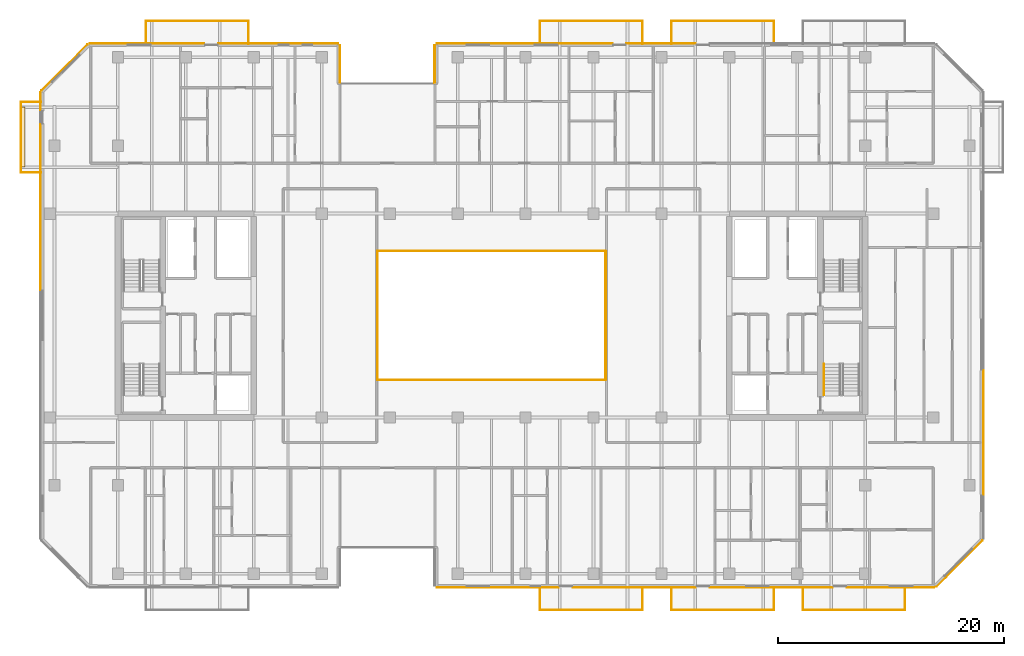
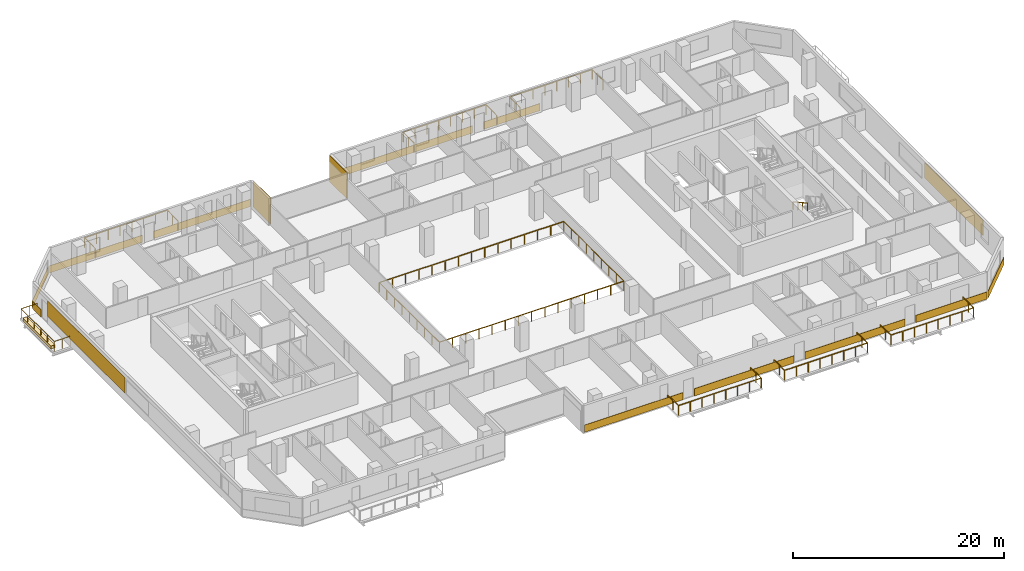
# One storey, part 21 of 23: 16 coverings, 10 railings.
"""IFC4 building model written with IfcOpenShell, lengths in metres."""

from ifc_helpers import new_model, si_unit, direction, frame, origin, origin_2d, place, context, subcontext, project, spatial, polyline, rectangle, outline, extrude, material, layer, layer_set, type_object, element, save


model = new_model("IFC4")

# Units and contexts
model_context = context("Model", 3, precision=1e-05, world=origin(), true_north=direction((0.0, 1.0)))
body_context = subcontext(model_context, "Body", "Model", "MODEL_VIEW")
ifc_project = project(units=[si_unit("LENGTHUNIT", "METRE"), si_unit("AREAUNIT", "SQUARE_METRE"), si_unit("VOLUMEUNIT", "CUBIC_METRE"), si_unit("PLANEANGLEUNIT", "RADIAN"), si_unit("MASSUNIT", "GRAM", prefix="KILO")], contexts=[model_context])

# Site, building, storey
site_placement = place(None, origin())
site = spatial("IfcSite", under=ifc_project, at=site_placement, CompositionType="ELEMENT")
building_placement = place(site_placement, origin())
building = spatial("IfcBuilding", under=site, at=building_placement, Name="Tanjung Sevakor Pilgrim Tower", CompositionType="ELEMENT")
storey_placement = place(building_placement, frame((0.0, 0.0, 85.469970703125)))
storey = spatial("IfcBuildingStorey", under=building, at=storey_placement, Name="L23", CompositionType="ELEMENT", Elevation=85.469970703125)

# Coverings
ifc_material_1 = material(Name="Reconstructed Limestone Cladding", Category="masonry")
ifc_layer_1 = layer(ifc_material_1, 0.044921875)
ifc_layer_set_1 = layer_set([ifc_layer_1], Name="COV-CLAD-LIMESTONE")
covering_type_1 = type_object("IfcCoveringType", Name="COV-CLAD-LIMESTONE", PredefinedType="CLADDING", material=ifc_layer_set_1)
covering_1_placement = place(storey_placement, frame((57.552490234375, 9.577392578125, 0.009765625), z_axis=(0.0, 0.0, 1.0), x_axis=(1.0, 0.0, 0.0)))
element("IfcCovering", 1, at=covering_1_placement, inside=storey, type_object=covering_type_1, Name="L23 Warm Limestone Sill Spandrel EW-L23-MAIN-5-1", PredefinedType="CLADDING", context=body_context, shape_type="SweptSolid", body=[
    extrude(rectangle(XDim=10.77490234375, YDim=0.044921875, at=origin_2d()), origin(), (0.0, 0.0, 1.0), 0.840087890625),
])
for number, where, z_axis, x_axis, name in (
    (2, (69.60009765625, 9.577392578125, 0.009765625), (0.0, 0.0, 1.0), (1.0, 0.0, 0.0), "L23 Warm Limestone Sill Spandrel EW-L23-MAIN-5-2"),
    (3, (81.699951171875, 9.577392578125, 0.009765625), (0.0, 0.0, 1.0), (1.0, 0.0, 0.0), "L23 Warm Limestone Sill Spandrel EW-L23-MAIN-5-3"),
):
    element("IfcCovering", number, at=place(storey_placement, frame(where, z_axis=z_axis, x_axis=x_axis)), inside=storey, type_object=covering_type_1, Name=name, PredefinedType="CLADDING", context=body_context, shape_type="SweptSolid", body=[
        extrude(rectangle(XDim=10.8798828125, YDim=0.044921875, at=origin_2d()), origin(), (0.0, 0.0, 1.0), 0.840087890625),
    ])
covering_2_placement = place(storey_placement, frame((92.234130859375, 9.577392578125, 0.009765625), z_axis=(0.0, 0.0, 1.0), x_axis=(1.0, 0.0, 0.0)))
element("IfcCovering", 4, at=covering_2_placement, inside=storey, type_object=covering_type_1, Name="L23 Warm Limestone Sill Spandrel EW-L23-MAIN-5-4", PredefinedType="CLADDING", context=body_context, shape_type="SweptSolid", body=[
    extrude(rectangle(XDim=7.748291015625, YDim=0.044921875, at=origin_2d()), origin(), (0.0, 0.0, 1.0), 0.840087890625),
])
covering_3_placement = place(storey_placement, frame((98.31591796875, 11.68408203125, 0.009765625), z_axis=(0.0, 0.0, 1.0), x_axis=(0.707106781187, 0.707106781187, 0.0)))
element("IfcCovering", 5, at=covering_3_placement, inside=storey, type_object=covering_type_1, Name="L23 Warm Limestone Sill Spandrel EW-CHM-L23-MAIN-5-1", PredefinedType="CLADDING", context=body_context, shape_type="SweptSolid", body=[
    extrude(rectangle(XDim=5.756103515625, YDim=0.044921875, at=origin_2d()), origin(), (0.0, 0.0, 1.0), 0.840087890625),
])
covering_4_placement = place(storey_placement, frame((100.422607421875, 23.258056640625, 0.85009765625), z_axis=(0.0, 0.0, 1.0), x_axis=(0.0, 1.0, 0.0)))
element("IfcCovering", 6, at=covering_4_placement, inside=storey, type_object=covering_type_1, Name="L23 Warm Limestone Pier Panel EW-L23-MAIN-7-1", PredefinedType="CLADDING", context=body_context, shape_type="SweptSolid", body=[
    extrude(rectangle(XDim=11.004150390625, YDim=0.044921875, at=origin_2d()), origin(), (0.0, 0.0, 1.0), 1.81005859375),
])
covering_5_placement = place(storey_placement, frame((71.97509765625, 57.62255859375, 0.009765625), z_axis=(0.0, 0.0, 1.0), x_axis=(-1.0, 0.0, 0.0)))
element("IfcCovering", 7, at=covering_5_placement, inside=storey, type_object=covering_type_1, Name="L23 Warm Limestone Sill Spandrel EW-L23-MAIN-9-3", PredefinedType="CLADDING", context=body_context, shape_type="SweptSolid", body=[
    extrude(rectangle(XDim=6.1298828125, YDim=0.044921875, at=origin_2d()), origin(), (0.0, 0.0, 1.0), 0.840087890625),
])
covering_6_placement = place(storey_placement, frame((59.927490234375, 57.62255859375, 0.009765625), z_axis=(0.0, 0.0, 1.0), x_axis=(-1.0, 0.0, 0.0)))
element("IfcCovering", 8, at=covering_6_placement, inside=storey, type_object=covering_type_1, Name="L23 Warm Limestone Sill Spandrel EW-L23-MAIN-9-4", PredefinedType="CLADDING", context=body_context, shape_type="SweptSolid", body=[
    extrude(rectangle(XDim=15.52490234375, YDim=0.044921875, at=origin_2d()), origin(), (0.0, 0.0, 1.0), 0.840087890625),
])
for number, where, z_axis, x_axis, name in (
    (9, (51.9775390625, 55.77490234375, 0.02001953125), (0.0, 0.0, 1.0), (0.0, -1.0, 0.0), "L23 Warm Limestone Wall Cladding EW-L23-MAIN-10"),
    (10, (43.62255859375, 55.77490234375, 0.02001953125), (0.0, 0.0, 1.0), (0.0, 1.0, 0.0), "L23 Warm Limestone Wall Cladding EW-L23-MAIN-12"),
):
    element("IfcCovering", number, at=place(storey_placement, frame(where, z_axis=z_axis, x_axis=x_axis)), inside=storey, type_object=covering_type_1, Name=name, PredefinedType="CLADDING", context=body_context, shape_type="SweptSolid", body=[
        extrude(rectangle(XDim=3.360107421875, YDim=0.044921875, at=origin_2d()), origin(), (0.0, 0.0, 1.0), 3.0400390625),
    ])
covering_7_placement = place(storey_placement, frame((38.1474609375, 57.62255859375, 0.009765625), z_axis=(0.0, 0.0, 1.0), x_axis=(-1.0, 0.0, 0.0)))
element("IfcCovering", 11, at=covering_7_placement, inside=storey, type_object=covering_type_1, Name="L23 Warm Limestone Sill Spandrel EW-L23-MAIN-13-1", PredefinedType="CLADDING", context=body_context, shape_type="SweptSolid", body=[
    extrude(rectangle(XDim=10.574951171875, YDim=0.044921875, at=origin_2d()), origin(), (0.0, 0.0, 1.0), 0.840087890625),
])
covering_8_placement = place(storey_placement, frame((26.56591796875, 57.62255859375, 0.009765625), z_axis=(0.0, 0.0, 1.0), x_axis=(-1.0, 0.0, 0.0)))
element("IfcCovering", 12, at=covering_8_placement, inside=storey, type_object=covering_type_1, Name="L23 Warm Limestone Sill Spandrel EW-L23-MAIN-13-2", PredefinedType="CLADDING", context=body_context, shape_type="SweptSolid", body=[
    extrude(rectangle(XDim=10.148193359375, YDim=0.044921875, at=origin_2d()), origin(), (0.0, 0.0, 1.0), 0.840087890625),
])
covering_9_placement = place(storey_placement, frame((19.2841796875, 55.515869140625, 0.009765625), z_axis=(0.0, 0.0, 1.0), x_axis=(-0.707106781187, -0.707106781187, 0.0)))
element("IfcCovering", 13, at=covering_9_placement, inside=storey, type_object=covering_type_1, Name="L23 Warm Limestone Sill Spandrel EW-CHM-L23-MAIN-13-1", PredefinedType="CLADDING", context=body_context, shape_type="SweptSolid", body=[
    extrude(rectangle(XDim=5.756103515625, YDim=0.044921875, at=origin_2d()), origin(), (0.0, 0.0, 1.0), 0.840087890625),
])
covering_10_placement = place(storey_placement, frame((17.177490234375, 52.509033203125, 0.009765625), z_axis=(0.0, 0.0, 1.0), x_axis=(0.0, -1.0, 0.0)))
element("IfcCovering", 14, at=covering_10_placement, inside=storey, type_object=covering_type_1, Name="L23 Warm Limestone Sill Spandrel EW-L23-MAIN-15-1", PredefinedType="CLADDING", context=body_context, shape_type="SweptSolid", body=[
    extrude(rectangle(XDim=1.59814453125, YDim=0.044921875, at=origin_2d()), origin(), (0.0, 0.0, 1.0), 0.840087890625),
])
covering_11_placement = place(storey_placement, frame((17.177490234375, 43.175048828125, 0.85009765625), z_axis=(0.0, 0.0, 1.0), x_axis=(0.0, -1.0, 0.0)))
element("IfcCovering", 15, at=covering_11_placement, inside=storey, type_object=covering_type_1, Name="L23 Warm Limestone Pier Panel EW-L23-MAIN-15-1", PredefinedType="CLADDING", context=body_context, shape_type="SweptSolid", body=[
    extrude(rectangle(XDim=14.64990234375, YDim=0.044921875, at=origin_2d()), origin(), (0.0, 0.0, 1.0), 1.81005859375),
])
ifc_material_2 = material(Name="Vegetated Modular Planter Assembly", Category="organic")
ifc_layer_2 = layer(ifc_material_2, 0.35009765625)
ifc_layer_set_2 = layer_set([ifc_layer_2], Name="COV-GRN-TROUGH")
covering_type_2 = type_object("IfcCoveringType", Name="COV-GRN-TROUGH", PredefinedType="CLADDING", material=ifc_layer_set_2)
covering_12_placement = place(storey_placement, origin())
element("IfcCovering", 16, at=covering_12_placement, inside=storey, type_object=covering_type_2, Name="L23 Planted Landscape Hedge Trough BGRN-L23-MAIN-W1", PredefinedType="CLADDING", context=body_context, shape_type="SweptSolid", body=[
    extrude(outline(polyline([(15.7900390625, 46.699951171875), (15.7900390625, 52.0), (15.35009765625, 52.0), (15.35009765625, 46.699951171875), (15.7900390625, 46.699951171875)])), origin(), (0.0, 0.0, 1.0), 0.35009765625),
])

# Railings
ifc_material_3 = material(Name="Laminated Glass and Aluminium", Category="aluminium")
railing_type_1 = type_object("IfcRailingType", Name="RL-BAL-BALUST", PredefinedType="BALUSTRADE", material=ifc_material_3)
railing_1_placement = place(storey_placement, frame((46.919921875, 27.919921875, 0.0)))
element("IfcRailing", 17, at=railing_1_placement, inside=storey, type_object=railing_type_1, Name="L23 Void Opening Balustrade 1A", PredefinedType="BALUSTRADE", context=body_context, shape_type="SweptSolid", body=[
    extrude(rectangle(XDim=0.0479, YDim=0.0479), frame((0.0, 0.0, 1.1259765625), z_axis=(1.0, 0.0, 0.0), x_axis=(0.0, 1.0, 0.0)), (0.0, 0.0, 1.0), 20.16015625),
    extrude(rectangle(XDim=0.0479, YDim=0.0479), frame((20.16015625, 0.0, 1.1259765625), z_axis=(0.0, 1.0, 0.0), x_axis=(-1.0, 0.0, 0.0)), (0.0, 0.0, 1.0), 11.360107421875),
    extrude(rectangle(XDim=0.042, YDim=0.042), origin(), (0.0, 0.0, 1.0), 1.101806640625),
    extrude(rectangle(XDim=0.042, YDim=0.042), frame((1.43994140625, 0.0, 0.0)), (0.0, 0.0, 1.0), 1.101806640625),
    extrude(rectangle(XDim=0.042, YDim=0.042), frame((2.880126953125, 0.0, 0.0)), (0.0, 0.0, 1.0), 1.101806640625),
    extrude(rectangle(XDim=0.042, YDim=0.042), frame((4.320068359375, 0.0, 0.0)), (0.0, 0.0, 1.0), 1.101806640625),
    extrude(rectangle(XDim=0.042, YDim=0.042), frame((5.760009765625, 0.0, 0.0)), (0.0, 0.0, 1.0), 1.101806640625),
    extrude(rectangle(XDim=0.042, YDim=0.042), frame((7.199951171875, 0.0, 0.0)), (0.0, 0.0, 1.0), 1.101806640625),
    extrude(rectangle(XDim=0.042, YDim=0.042), frame((8.64013671875, 0.0, 0.0)), (0.0, 0.0, 1.0), 1.101806640625),
    extrude(rectangle(XDim=0.042, YDim=0.042), frame((10.080078125, 0.0, 0.0)), (0.0, 0.0, 1.0), 1.101806640625),
    extrude(rectangle(XDim=0.042, YDim=0.042), frame((11.52001953125, 0.0, 0.0)), (0.0, 0.0, 1.0), 1.101806640625),
    extrude(rectangle(XDim=0.042, YDim=0.042), frame((12.960205078125, 0.0, 0.0)), (0.0, 0.0, 1.0), 1.101806640625),
    extrude(rectangle(XDim=0.042, YDim=0.042), frame((14.400146484375, 0.0, 0.0)), (0.0, 0.0, 1.0), 1.101806640625),
    extrude(rectangle(XDim=0.042, YDim=0.042), frame((15.840087890625, 0.0, 0.0)), (0.0, 0.0, 1.0), 1.101806640625),
    extrude(rectangle(XDim=0.042, YDim=0.042), frame((17.280029296875, 0.0, 0.0)), (0.0, 0.0, 1.0), 1.101806640625),
    extrude(rectangle(XDim=0.042, YDim=0.042), frame((18.72021484375, 0.0, 0.0)), (0.0, 0.0, 1.0), 1.101806640625),
    extrude(rectangle(XDim=0.042, YDim=0.042), frame((20.16015625, 0.0, 0.0)), (0.0, 0.0, 1.0), 1.101806640625),
    extrude(rectangle(XDim=0.042, YDim=0.042), frame((20.16015625, 1.419921875, 0.0)), (0.0, 0.0, 1.0), 1.101806640625),
    extrude(rectangle(XDim=0.042, YDim=0.042), frame((20.16015625, 2.840087890625, 0.0)), (0.0, 0.0, 1.0), 1.101806640625),
    extrude(rectangle(XDim=0.042, YDim=0.042), frame((20.16015625, 4.260009765625, 0.0)), (0.0, 0.0, 1.0), 1.101806640625),
    extrude(rectangle(XDim=0.042, YDim=0.042), frame((20.16015625, 5.68017578125, 0.0)), (0.0, 0.0, 1.0), 1.101806640625),
    extrude(rectangle(XDim=0.042, YDim=0.042), frame((20.16015625, 7.10009765625, 0.0)), (0.0, 0.0, 1.0), 1.101806640625),
    extrude(rectangle(XDim=0.042, YDim=0.042), frame((20.16015625, 8.52001953125, 0.0)), (0.0, 0.0, 1.0), 1.101806640625),
    extrude(rectangle(XDim=0.042, YDim=0.042), frame((20.16015625, 9.940185546875, 0.0)), (0.0, 0.0, 1.0), 1.101806640625),
    extrude(rectangle(XDim=0.042, YDim=0.042), frame((20.16015625, 11.360107421875, 0.0)), (0.0, 0.0, 1.0), 1.101806640625),
])
railing_2_placement = place(storey_placement, frame((67.080078125, 39.280029296875, 0.0)))
element("IfcRailing", 18, at=railing_2_placement, inside=storey, type_object=railing_type_1, Name="L23 Void Opening Balustrade 1B", PredefinedType="BALUSTRADE", context=body_context, shape_type="SweptSolid", body=[
    extrude(rectangle(XDim=0.0479, YDim=0.0479), frame((0.0, 0.0, 1.1259765625), z_axis=(-1.0, 0.0, 0.0), x_axis=(0.0, -1.0, 0.0)), (0.0, 0.0, 1.0), 20.16015625),
    extrude(rectangle(XDim=0.0479, YDim=0.0479), frame((-20.16015625, 0.0, 1.1259765625), z_axis=(0.0, -1.0, 0.0), x_axis=(1.0, 0.0, 0.0)), (0.0, 0.0, 1.0), 11.360107421875),
    extrude(rectangle(XDim=0.042, YDim=0.042), origin(), (0.0, 0.0, 1.0), 1.101806640625),
    extrude(rectangle(XDim=0.042, YDim=0.042), frame((-1.43994140625, 0.0, 0.0)), (0.0, 0.0, 1.0), 1.101806640625),
    extrude(rectangle(XDim=0.042, YDim=0.042), frame((-2.880126953125, 0.0, 0.0)), (0.0, 0.0, 1.0), 1.101806640625),
    extrude(rectangle(XDim=0.042, YDim=0.042), frame((-4.320068359375, 0.0, 0.0)), (0.0, 0.0, 1.0), 1.101806640625),
    extrude(rectangle(XDim=0.042, YDim=0.042), frame((-5.760009765625, 0.0, 0.0)), (0.0, 0.0, 1.0), 1.101806640625),
    extrude(rectangle(XDim=0.042, YDim=0.042), frame((-7.199951171875, 0.0, 0.0)), (0.0, 0.0, 1.0), 1.101806640625),
    extrude(rectangle(XDim=0.042, YDim=0.042), frame((-8.64013671875, 0.0, 0.0)), (0.0, 0.0, 1.0), 1.101806640625),
    extrude(rectangle(XDim=0.042, YDim=0.042), frame((-10.080078125, 0.0, 0.0)), (0.0, 0.0, 1.0), 1.101806640625),
    extrude(rectangle(XDim=0.042, YDim=0.042), frame((-11.52001953125, 0.0, 0.0)), (0.0, 0.0, 1.0), 1.101806640625),
    extrude(rectangle(XDim=0.042, YDim=0.042), frame((-12.960205078125, 0.0, 0.0)), (0.0, 0.0, 1.0), 1.101806640625),
    extrude(rectangle(XDim=0.042, YDim=0.042), frame((-14.400146484375, 0.0, 0.0)), (0.0, 0.0, 1.0), 1.101806640625),
    extrude(rectangle(XDim=0.042, YDim=0.042), frame((-15.840087890625, 0.0, 0.0)), (0.0, 0.0, 1.0), 1.101806640625),
    extrude(rectangle(XDim=0.042, YDim=0.042), frame((-17.280029296875, 0.0, 0.0)), (0.0, 0.0, 1.0), 1.101806640625),
    extrude(rectangle(XDim=0.042, YDim=0.042), frame((-18.72021484375, 0.0, 0.0)), (0.0, 0.0, 1.0), 1.101806640625),
    extrude(rectangle(XDim=0.042, YDim=0.042), frame((-20.16015625, 0.0, 0.0)), (0.0, 0.0, 1.0), 1.101806640625),
    extrude(rectangle(XDim=0.042, YDim=0.042), frame((-20.16015625, -1.419921875, 0.0)), (0.0, 0.0, 1.0), 1.101806640625),
    extrude(rectangle(XDim=0.042, YDim=0.042), frame((-20.16015625, -2.840087890625, 0.0)), (0.0, 0.0, 1.0), 1.101806640625),
    extrude(rectangle(XDim=0.042, YDim=0.042), frame((-20.16015625, -4.260009765625, 0.0)), (0.0, 0.0, 1.0), 1.101806640625),
    extrude(rectangle(XDim=0.042, YDim=0.042), frame((-20.16015625, -5.68017578125, 0.0)), (0.0, 0.0, 1.0), 1.101806640625),
    extrude(rectangle(XDim=0.042, YDim=0.042), frame((-20.16015625, -7.10009765625, 0.0)), (0.0, 0.0, 1.0), 1.101806640625),
    extrude(rectangle(XDim=0.042, YDim=0.042), frame((-20.16015625, -8.52001953125, 0.0)), (0.0, 0.0, 1.0), 1.101806640625),
    extrude(rectangle(XDim=0.042, YDim=0.042), frame((-20.16015625, -9.940185546875, 0.0)), (0.0, 0.0, 1.0), 1.101806640625),
    extrude(rectangle(XDim=0.042, YDim=0.042), frame((-20.16015625, -11.360107421875, 0.0)), (0.0, 0.0, 1.0), 1.101806640625),
])
railing_3_placement = place(storey_placement, frame((26.47998046875, 57.60009765625, 0.0)))
element("IfcRailing", 19, at=railing_3_placement, inside=storey, type_object=railing_type_1, Name="L23 Loggia Balustrade MAIN-N1", PredefinedType="BALUSTRADE", context=body_context, shape_type="SweptSolid", body=[
    extrude(rectangle(XDim=0.0479, YDim=0.0479), frame((0.0, 0.0, 1.1259765625), z_axis=(0.0, 1.0, 0.0), x_axis=(-1.0, 0.0, 0.0)), (0.0, 0.0, 1.0), 2.02001953125),
    extrude(rectangle(XDim=0.0479, YDim=0.0479), frame((0.0, 2.02001953125, 1.1259765625), z_axis=(1.0, 0.0, 0.0), x_axis=(0.0, 1.0, 0.0)), (0.0, 0.0, 1.0), 9.0400390625),
    extrude(rectangle(XDim=0.0479, YDim=0.0479), frame((9.0400390625, 2.02001953125, 1.1259765625), z_axis=(0.0, -1.0, 0.0), x_axis=(1.0, 0.0, 0.0)), (0.0, 0.0, 1.0), 2.02001953125),
    extrude(rectangle(XDim=0.042, YDim=0.042), origin(), (0.0, 0.0, 1.0), 1.101806640625),
    extrude(rectangle(XDim=0.042, YDim=0.042), frame((0.0, 1.010009765625, 0.0)), (0.0, 0.0, 1.0), 1.101806640625),
    extrude(rectangle(XDim=0.042, YDim=0.042), frame((0.0, 2.02001953125, 0.0)), (0.0, 0.0, 1.0), 1.101806640625),
    extrude(rectangle(XDim=0.042, YDim=0.042), frame((1.29150390625, 2.02001953125, 0.0)), (0.0, 0.0, 1.0), 1.101806640625),
    extrude(rectangle(XDim=0.042, YDim=0.042), frame((2.582763671875, 2.02001953125, 0.0)), (0.0, 0.0, 1.0), 1.101806640625),
    extrude(rectangle(XDim=0.042, YDim=0.042), frame((3.874267578125, 2.02001953125, 0.0)), (0.0, 0.0, 1.0), 1.101806640625),
    extrude(rectangle(XDim=0.042, YDim=0.042), frame((5.165771484375, 2.02001953125, 0.0)), (0.0, 0.0, 1.0), 1.101806640625),
    extrude(rectangle(XDim=0.042, YDim=0.042), frame((6.457275390625, 2.02001953125, 0.0)), (0.0, 0.0, 1.0), 1.101806640625),
    extrude(rectangle(XDim=0.042, YDim=0.042), frame((7.74853515625, 2.02001953125, 0.0)), (0.0, 0.0, 1.0), 1.101806640625),
    extrude(rectangle(XDim=0.042, YDim=0.042), frame((9.0400390625, 2.02001953125, 0.0)), (0.0, 0.0, 1.0), 1.101806640625),
    extrude(rectangle(XDim=0.042, YDim=0.042), frame((9.0400390625, 1.010009765625, 0.0)), (0.0, 0.0, 1.0), 1.101806640625),
    extrude(rectangle(XDim=0.042, YDim=0.042), frame((9.0400390625, 0.0, 0.0)), (0.0, 0.0, 1.0), 1.101806640625),
])
railing_4_placement = place(storey_placement, frame((61.280029296875, 9.60009765625, 0.0)))
element("IfcRailing", 20, at=railing_4_placement, inside=storey, type_object=railing_type_1, Name="L23 Loggia Balustrade MAIN-S2", PredefinedType="BALUSTRADE", context=body_context, shape_type="SweptSolid", body=[
    extrude(rectangle(XDim=0.0479, YDim=0.0479), frame((0.0, 0.0, 1.1259765625), z_axis=(0.0, -1.0, 0.0), x_axis=(1.0, 0.0, 0.0)), (0.0, 0.0, 1.0), 2.02001953125),
    extrude(rectangle(XDim=0.0479, YDim=0.0479), frame((0.0, -2.02001953125, 1.1259765625), z_axis=(1.0, 0.0, 0.0), x_axis=(0.0, 1.0, 0.0)), (0.0, 0.0, 1.0), 9.0400390625),
    extrude(rectangle(XDim=0.0479, YDim=0.0479), frame((9.0400390625, -2.02001953125, 1.1259765625), z_axis=(0.0, 1.0, 0.0), x_axis=(-1.0, 0.0, 0.0)), (0.0, 0.0, 1.0), 2.02001953125),
    extrude(rectangle(XDim=0.042, YDim=0.042), origin(), (0.0, 0.0, 1.0), 1.101806640625),
    extrude(rectangle(XDim=0.042, YDim=0.042), frame((0.0, -1.010009765625, 0.0)), (0.0, 0.0, 1.0), 1.101806640625),
    extrude(rectangle(XDim=0.042, YDim=0.042), frame((0.0, -2.02001953125, 0.0)), (0.0, 0.0, 1.0), 1.101806640625),
    extrude(rectangle(XDim=0.042, YDim=0.042), frame((1.29150390625, -2.02001953125, 0.0)), (0.0, 0.0, 1.0), 1.101806640625),
    extrude(rectangle(XDim=0.042, YDim=0.042), frame((2.582763671875, -2.02001953125, 0.0)), (0.0, 0.0, 1.0), 1.101806640625),
    extrude(rectangle(XDim=0.042, YDim=0.042), frame((3.874267578125, -2.02001953125, 0.0)), (0.0, 0.0, 1.0), 1.101806640625),
    extrude(rectangle(XDim=0.042, YDim=0.042), frame((5.165771484375, -2.02001953125, 0.0)), (0.0, 0.0, 1.0), 1.101806640625),
    extrude(rectangle(XDim=0.042, YDim=0.042), frame((6.457275390625, -2.02001953125, 0.0)), (0.0, 0.0, 1.0), 1.101806640625),
    extrude(rectangle(XDim=0.042, YDim=0.042), frame((7.74853515625, -2.02001953125, 0.0)), (0.0, 0.0, 1.0), 1.101806640625),
    extrude(rectangle(XDim=0.042, YDim=0.042), frame((9.0400390625, -2.02001953125, 0.0)), (0.0, 0.0, 1.0), 1.101806640625),
    extrude(rectangle(XDim=0.042, YDim=0.042), frame((9.0400390625, -1.010009765625, 0.0)), (0.0, 0.0, 1.0), 1.101806640625),
    extrude(rectangle(XDim=0.042, YDim=0.042), frame((9.0400390625, 0.0, 0.0)), (0.0, 0.0, 1.0), 1.101806640625),
])
railing_5_placement = place(storey_placement, frame((61.280029296875, 57.60009765625, 0.0)))
element("IfcRailing", 21, at=railing_5_placement, inside=storey, type_object=railing_type_1, Name="L23 Loggia Balustrade MAIN-N2", PredefinedType="BALUSTRADE", context=body_context, shape_type="SweptSolid", body=[
    extrude(rectangle(XDim=0.0479, YDim=0.0479), frame((0.0, 0.0, 1.1259765625), z_axis=(0.0, 1.0, 0.0), x_axis=(-1.0, 0.0, 0.0)), (0.0, 0.0, 1.0), 2.02001953125),
    extrude(rectangle(XDim=0.0479, YDim=0.0479), frame((0.0, 2.02001953125, 1.1259765625), z_axis=(1.0, 0.0, 0.0), x_axis=(0.0, 1.0, 0.0)), (0.0, 0.0, 1.0), 9.0400390625),
    extrude(rectangle(XDim=0.0479, YDim=0.0479), frame((9.0400390625, 2.02001953125, 1.1259765625), z_axis=(0.0, -1.0, 0.0), x_axis=(1.0, 0.0, 0.0)), (0.0, 0.0, 1.0), 2.02001953125),
    extrude(rectangle(XDim=0.042, YDim=0.042), origin(), (0.0, 0.0, 1.0), 1.101806640625),
    extrude(rectangle(XDim=0.042, YDim=0.042), frame((0.0, 1.010009765625, 0.0)), (0.0, 0.0, 1.0), 1.101806640625),
    extrude(rectangle(XDim=0.042, YDim=0.042), frame((0.0, 2.02001953125, 0.0)), (0.0, 0.0, 1.0), 1.101806640625),
    extrude(rectangle(XDim=0.042, YDim=0.042), frame((1.29150390625, 2.02001953125, 0.0)), (0.0, 0.0, 1.0), 1.101806640625),
    extrude(rectangle(XDim=0.042, YDim=0.042), frame((2.582763671875, 2.02001953125, 0.0)), (0.0, 0.0, 1.0), 1.101806640625),
    extrude(rectangle(XDim=0.042, YDim=0.042), frame((3.874267578125, 2.02001953125, 0.0)), (0.0, 0.0, 1.0), 1.101806640625),
    extrude(rectangle(XDim=0.042, YDim=0.042), frame((5.165771484375, 2.02001953125, 0.0)), (0.0, 0.0, 1.0), 1.101806640625),
    extrude(rectangle(XDim=0.042, YDim=0.042), frame((6.457275390625, 2.02001953125, 0.0)), (0.0, 0.0, 1.0), 1.101806640625),
    extrude(rectangle(XDim=0.042, YDim=0.042), frame((7.74853515625, 2.02001953125, 0.0)), (0.0, 0.0, 1.0), 1.101806640625),
    extrude(rectangle(XDim=0.042, YDim=0.042), frame((9.0400390625, 2.02001953125, 0.0)), (0.0, 0.0, 1.0), 1.101806640625),
    extrude(rectangle(XDim=0.042, YDim=0.042), frame((9.0400390625, 1.010009765625, 0.0)), (0.0, 0.0, 1.0), 1.101806640625),
    extrude(rectangle(XDim=0.042, YDim=0.042), frame((9.0400390625, 0.0, 0.0)), (0.0, 0.0, 1.0), 1.101806640625),
])
railing_6_placement = place(storey_placement, frame((72.8798828125, 9.60009765625, 0.0)))
element("IfcRailing", 22, at=railing_6_placement, inside=storey, type_object=railing_type_1, Name="L23 Loggia Balustrade MAIN-S3", PredefinedType="BALUSTRADE", context=body_context, shape_type="SweptSolid", body=[
    extrude(rectangle(XDim=0.0479, YDim=0.0479), frame((0.0, 0.0, 1.1259765625), z_axis=(0.0, -1.0, 0.0), x_axis=(1.0, 0.0, 0.0)), (0.0, 0.0, 1.0), 2.02001953125),
    extrude(rectangle(XDim=0.0479, YDim=0.0479), frame((0.0, -2.02001953125, 1.1259765625), z_axis=(1.0, 0.0, 0.0), x_axis=(0.0, 1.0, 0.0)), (0.0, 0.0, 1.0), 9.0400390625),
    extrude(rectangle(XDim=0.0479, YDim=0.0479), frame((9.0400390625, -2.02001953125, 1.1259765625), z_axis=(0.0, 1.0, 0.0), x_axis=(-1.0, 0.0, 0.0)), (0.0, 0.0, 1.0), 2.02001953125),
    extrude(rectangle(XDim=0.042, YDim=0.042), origin(), (0.0, 0.0, 1.0), 1.101806640625),
    extrude(rectangle(XDim=0.042, YDim=0.042), frame((0.0, -1.010009765625, 0.0)), (0.0, 0.0, 1.0), 1.101806640625),
    extrude(rectangle(XDim=0.042, YDim=0.042), frame((0.0, -2.02001953125, 0.0)), (0.0, 0.0, 1.0), 1.101806640625),
    extrude(rectangle(XDim=0.042, YDim=0.042), frame((1.29150390625, -2.02001953125, 0.0)), (0.0, 0.0, 1.0), 1.101806640625),
    extrude(rectangle(XDim=0.042, YDim=0.042), frame((2.582763671875, -2.02001953125, 0.0)), (0.0, 0.0, 1.0), 1.101806640625),
    extrude(rectangle(XDim=0.042, YDim=0.042), frame((3.874267578125, -2.02001953125, 0.0)), (0.0, 0.0, 1.0), 1.101806640625),
    extrude(rectangle(XDim=0.042, YDim=0.042), frame((5.165771484375, -2.02001953125, 0.0)), (0.0, 0.0, 1.0), 1.101806640625),
    extrude(rectangle(XDim=0.042, YDim=0.042), frame((6.457275390625, -2.02001953125, 0.0)), (0.0, 0.0, 1.0), 1.101806640625),
    extrude(rectangle(XDim=0.042, YDim=0.042), frame((7.74853515625, -2.02001953125, 0.0)), (0.0, 0.0, 1.0), 1.101806640625),
    extrude(rectangle(XDim=0.042, YDim=0.042), frame((9.0400390625, -2.02001953125, 0.0)), (0.0, 0.0, 1.0), 1.101806640625),
    extrude(rectangle(XDim=0.042, YDim=0.042), frame((9.0400390625, -1.010009765625, 0.0)), (0.0, 0.0, 1.0), 1.101806640625),
    extrude(rectangle(XDim=0.042, YDim=0.042), frame((9.0400390625, 0.0, 0.0)), (0.0, 0.0, 1.0), 1.101806640625),
])
railing_7_placement = place(storey_placement, frame((72.8798828125, 57.60009765625, 0.0)))
element("IfcRailing", 23, at=railing_7_placement, inside=storey, type_object=railing_type_1, Name="L23 Loggia Balustrade MAIN-N3", PredefinedType="BALUSTRADE", context=body_context, shape_type="SweptSolid", body=[
    extrude(rectangle(XDim=0.0479, YDim=0.0479), frame((0.0, 0.0, 1.1259765625), z_axis=(0.0, 1.0, 0.0), x_axis=(-1.0, 0.0, 0.0)), (0.0, 0.0, 1.0), 2.02001953125),
    extrude(rectangle(XDim=0.0479, YDim=0.0479), frame((0.0, 2.02001953125, 1.1259765625), z_axis=(1.0, 0.0, 0.0), x_axis=(0.0, 1.0, 0.0)), (0.0, 0.0, 1.0), 9.0400390625),
    extrude(rectangle(XDim=0.0479, YDim=0.0479), frame((9.0400390625, 2.02001953125, 1.1259765625), z_axis=(0.0, -1.0, 0.0), x_axis=(1.0, 0.0, 0.0)), (0.0, 0.0, 1.0), 2.02001953125),
    extrude(rectangle(XDim=0.042, YDim=0.042), origin(), (0.0, 0.0, 1.0), 1.101806640625),
    extrude(rectangle(XDim=0.042, YDim=0.042), frame((0.0, 1.010009765625, 0.0)), (0.0, 0.0, 1.0), 1.101806640625),
    extrude(rectangle(XDim=0.042, YDim=0.042), frame((0.0, 2.02001953125, 0.0)), (0.0, 0.0, 1.0), 1.101806640625),
    extrude(rectangle(XDim=0.042, YDim=0.042), frame((1.29150390625, 2.02001953125, 0.0)), (0.0, 0.0, 1.0), 1.101806640625),
    extrude(rectangle(XDim=0.042, YDim=0.042), frame((2.582763671875, 2.02001953125, 0.0)), (0.0, 0.0, 1.0), 1.101806640625),
    extrude(rectangle(XDim=0.042, YDim=0.042), frame((3.874267578125, 2.02001953125, 0.0)), (0.0, 0.0, 1.0), 1.101806640625),
    extrude(rectangle(XDim=0.042, YDim=0.042), frame((5.165771484375, 2.02001953125, 0.0)), (0.0, 0.0, 1.0), 1.101806640625),
    extrude(rectangle(XDim=0.042, YDim=0.042), frame((6.457275390625, 2.02001953125, 0.0)), (0.0, 0.0, 1.0), 1.101806640625),
    extrude(rectangle(XDim=0.042, YDim=0.042), frame((7.74853515625, 2.02001953125, 0.0)), (0.0, 0.0, 1.0), 1.101806640625),
    extrude(rectangle(XDim=0.042, YDim=0.042), frame((9.0400390625, 2.02001953125, 0.0)), (0.0, 0.0, 1.0), 1.101806640625),
    extrude(rectangle(XDim=0.042, YDim=0.042), frame((9.0400390625, 1.010009765625, 0.0)), (0.0, 0.0, 1.0), 1.101806640625),
    extrude(rectangle(XDim=0.042, YDim=0.042), frame((9.0400390625, 0.0, 0.0)), (0.0, 0.0, 1.0), 1.101806640625),
])
railing_8_placement = place(storey_placement, frame((84.47998046875, 9.60009765625, 0.0)))
element("IfcRailing", 24, at=railing_8_placement, inside=storey, type_object=railing_type_1, Name="L23 Loggia Balustrade MAIN-S4", PredefinedType="BALUSTRADE", context=body_context, shape_type="SweptSolid", body=[
    extrude(rectangle(XDim=0.0479, YDim=0.0479), frame((0.0, 0.0, 1.1259765625), z_axis=(0.0, -1.0, 0.0), x_axis=(1.0, 0.0, 0.0)), (0.0, 0.0, 1.0), 2.02001953125),
    extrude(rectangle(XDim=0.0479, YDim=0.0479), frame((0.0, -2.02001953125, 1.1259765625), z_axis=(1.0, 0.0, 0.0), x_axis=(0.0, 1.0, 0.0)), (0.0, 0.0, 1.0), 9.0400390625),
    extrude(rectangle(XDim=0.0479, YDim=0.0479), frame((9.0400390625, -2.02001953125, 1.1259765625), z_axis=(0.0, 1.0, 0.0), x_axis=(-1.0, 0.0, 0.0)), (0.0, 0.0, 1.0), 2.02001953125),
    extrude(rectangle(XDim=0.042, YDim=0.042), origin(), (0.0, 0.0, 1.0), 1.101806640625),
    extrude(rectangle(XDim=0.042, YDim=0.042), frame((0.0, -1.010009765625, 0.0)), (0.0, 0.0, 1.0), 1.101806640625),
    extrude(rectangle(XDim=0.042, YDim=0.042), frame((0.0, -2.02001953125, 0.0)), (0.0, 0.0, 1.0), 1.101806640625),
    extrude(rectangle(XDim=0.042, YDim=0.042), frame((1.29150390625, -2.02001953125, 0.0)), (0.0, 0.0, 1.0), 1.101806640625),
    extrude(rectangle(XDim=0.042, YDim=0.042), frame((2.582763671875, -2.02001953125, 0.0)), (0.0, 0.0, 1.0), 1.101806640625),
    extrude(rectangle(XDim=0.042, YDim=0.042), frame((3.874267578125, -2.02001953125, 0.0)), (0.0, 0.0, 1.0), 1.101806640625),
    extrude(rectangle(XDim=0.042, YDim=0.042), frame((5.165771484375, -2.02001953125, 0.0)), (0.0, 0.0, 1.0), 1.101806640625),
    extrude(rectangle(XDim=0.042, YDim=0.042), frame((6.457275390625, -2.02001953125, 0.0)), (0.0, 0.0, 1.0), 1.101806640625),
    extrude(rectangle(XDim=0.042, YDim=0.042), frame((7.74853515625, -2.02001953125, 0.0)), (0.0, 0.0, 1.0), 1.101806640625),
    extrude(rectangle(XDim=0.042, YDim=0.042), frame((9.0400390625, -2.02001953125, 0.0)), (0.0, 0.0, 1.0), 1.101806640625),
    extrude(rectangle(XDim=0.042, YDim=0.042), frame((9.0400390625, -1.010009765625, 0.0)), (0.0, 0.0, 1.0), 1.101806640625),
    extrude(rectangle(XDim=0.042, YDim=0.042), frame((9.0400390625, 0.0, 0.0)), (0.0, 0.0, 1.0), 1.101806640625),
])
railing_9_placement = place(storey_placement, frame((17.199951171875, 46.22998046875, 0.0)))
element("IfcRailing", 25, at=railing_9_placement, inside=storey, type_object=railing_type_1, Name="L23 Loggia Balustrade MAIN-W1", PredefinedType="BALUSTRADE", context=body_context, shape_type="SweptSolid", body=[
    extrude(rectangle(XDim=0.0479, YDim=0.0479), frame((0.0, 0.0, 1.1259765625), z_axis=(-1.0, 0.0, 0.0), x_axis=(0.0, -1.0, 0.0)), (0.0, 0.0, 1.0), 1.77001953125),
    extrude(rectangle(XDim=0.0479, YDim=0.0479), frame((-1.77001953125, 0.0, 1.1259765625), z_axis=(0.0, 1.0, 0.0), x_axis=(-1.0, 0.0, 0.0)), (0.0, 0.0, 1.0), 6.239990234375),
    extrude(rectangle(XDim=0.0479, YDim=0.0479), frame((-1.77001953125, 6.239990234375, 1.1259765625), z_axis=(1.0, 0.0, 0.0), x_axis=(0.0, 1.0, 0.0)), (0.0, 0.0, 1.0), 1.77001953125),
    extrude(rectangle(XDim=0.042, YDim=0.042), origin(), (0.0, 0.0, 1.0), 1.101806640625),
    extrude(rectangle(XDim=0.042, YDim=0.042), frame((-0.885009765625, 0.0, 0.0)), (0.0, 0.0, 1.0), 1.101806640625),
    extrude(rectangle(XDim=0.042, YDim=0.042), frame((-1.77001953125, 0.0, 0.0)), (0.0, 0.0, 1.0), 1.101806640625),
    extrude(rectangle(XDim=0.042, YDim=0.042), frame((-1.77001953125, 1.248046875, 0.0)), (0.0, 0.0, 1.0), 1.101806640625),
    extrude(rectangle(XDim=0.042, YDim=0.042), frame((-1.77001953125, 2.49609375, 0.0)), (0.0, 0.0, 1.0), 1.101806640625),
    extrude(rectangle(XDim=0.042, YDim=0.042), frame((-1.77001953125, 3.743896484375, 0.0)), (0.0, 0.0, 1.0), 1.101806640625),
    extrude(rectangle(XDim=0.042, YDim=0.042), frame((-1.77001953125, 4.991943359375, 0.0)), (0.0, 0.0, 1.0), 1.101806640625),
    extrude(rectangle(XDim=0.042, YDim=0.042), frame((-1.77001953125, 6.239990234375, 0.0)), (0.0, 0.0, 1.0), 1.101806640625),
    extrude(rectangle(XDim=0.042, YDim=0.042), frame((-0.885009765625, 6.239990234375, 0.0)), (0.0, 0.0, 1.0), 1.101806640625),
    extrude(rectangle(XDim=0.042, YDim=0.042), frame((0.0, 6.239990234375, 0.0)), (0.0, 0.0, 1.0), 1.101806640625),
])
ifc_material_4 = material(Name="Steel S355J2", Category="steel")
railing_type_2 = type_object("IfcRailingType", Name="RL-STAIR-HAND", PredefinedType="HANDRAIL", material=ifc_material_4)
railing_10_placement = place(storey_placement, frame((86.35009765625, 29.300048828125, 1.81494140625)))
element("IfcRailing", 26, at=railing_10_placement, inside=storey, type_object=railing_type_2, Name="L23 TS-E1 stair handrail 2", PredefinedType="HANDRAIL", context=body_context, shape_type="SweptSolid", body=[
    extrude(rectangle(XDim=0.0479, YDim=0.0479), frame((0.0, 0.0, 0.8759765625), z_axis=(0.0, -0.876197507361, 0.481952205197), x_axis=(1.0, 0.0, 0.0)), (0.0, 0.0, 1.0), 3.08154296875),
    extrude(rectangle(XDim=0.042, YDim=0.042), origin(), (0.0, 0.0, 1.0), 0.851806640625),
    extrude(rectangle(XDim=0.042, YDim=0.042), frame((0.0, -0.89990234375, 0.4951171875)), (0.0, 0.0, 1.0), 0.851806640625),
    extrude(rectangle(XDim=0.042, YDim=0.042), frame((0.0, -1.800048828125, 0.989990234375)), (0.0, 0.0, 1.0), 0.851806640625),
    extrude(rectangle(XDim=0.042, YDim=0.042), frame((0.0, -2.699951171875, 1.485107421875)), (0.0, 0.0, 1.0), 0.851806640625),
])

save(model, "model.ifc")
